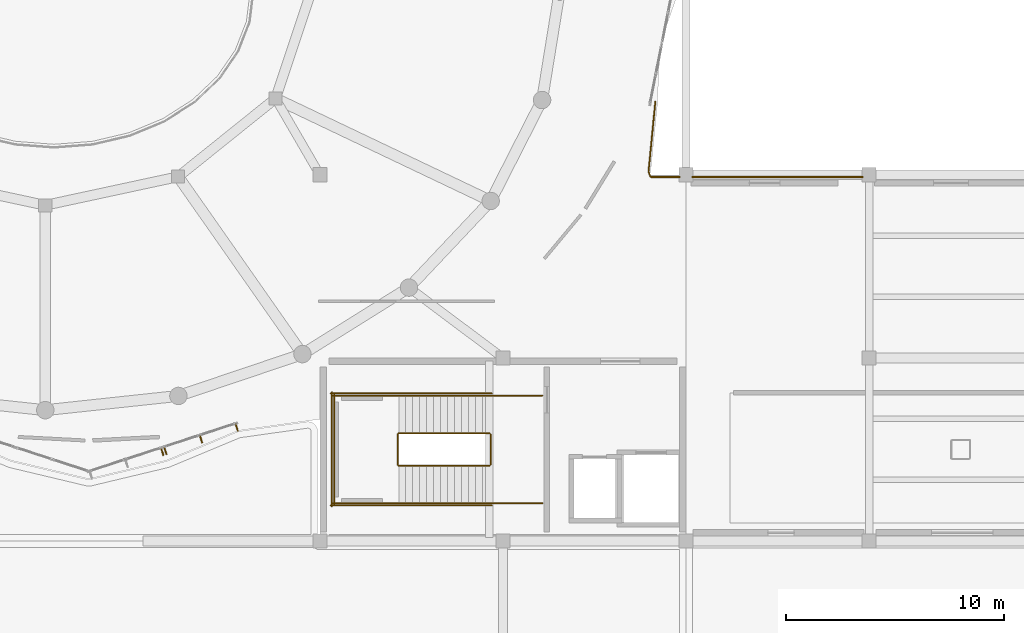
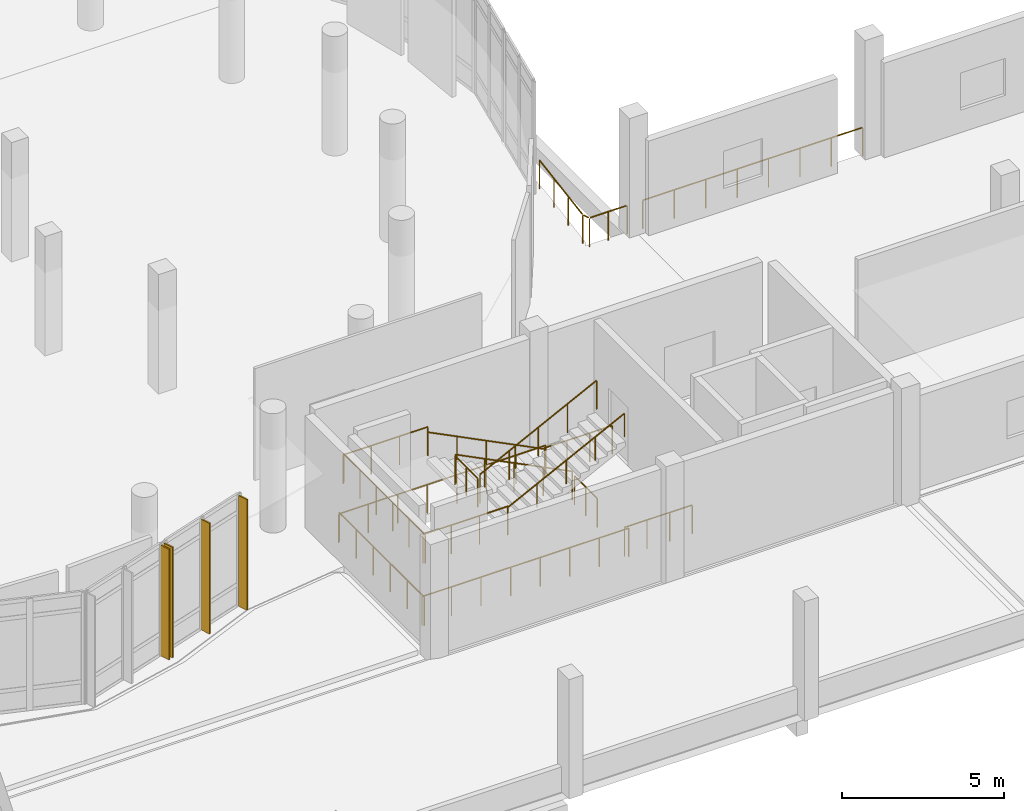
# One storey, part 39 of 46: 16 railings, 4 shading devices.
"""IFC4 building model written with IfcOpenShell, lengths in metres."""

from ifc_helpers import new_model, si_unit, derived_unit, direction, frame, origin, origin_2d, place, context, subcontext, project, spatial, rectangle, circle, extrude, material, type_object, element, save


model = new_model("IFC4")

# Units and contexts
model_context = context("Model", 3, precision=1e-05, world=origin(), true_north=direction((0.0, 1.0)))
body_context = subcontext(model_context, "Body", "Model", "MODEL_VIEW")
ifc_project = project(units=[si_unit("LENGTHUNIT", "METRE"), si_unit("AREAUNIT", "SQUARE_METRE"), si_unit("VOLUMEUNIT", "CUBIC_METRE"), si_unit("PLANEANGLEUNIT", "RADIAN"), si_unit("MASSUNIT", "GRAM", prefix="KILO"), derived_unit("THERMALTRANSMITTANCEUNIT", [(si_unit("POWERUNIT", "WATT"), 1), (si_unit("LENGTHUNIT", "METRE"), -2), (si_unit("THERMODYNAMICTEMPERATUREUNIT", "KELVIN"), -1)])], contexts=[model_context])

# Site, building, storey
site_placement = place(None, origin())
site = spatial("IfcSite", under=ifc_project, at=site_placement, CompositionType="ELEMENT")
building_placement = place(site_placement, origin())
building = spatial("IfcBuilding", under=site, at=building_placement, Name="Elbkamm Science Centre", CompositionType="ELEMENT")
storey_placement = place(building_placement, frame((0.0, 0.0, 9.89990234375)))
storey = spatial("IfcBuildingStorey", under=building, at=storey_placement, Name="L02", CompositionType="ELEMENT", Elevation=9.89990234375)

# Railings
ifc_material_1 = material(Name="Stainless steel EN 1.4401", Category="steel")
railing_type_1 = type_object("IfcRailingType", Name="RAIL-EXT-GUARD-1100", PredefinedType="GUARDRAIL", material=ifc_material_1)
railing_1_placement = place(storey_placement, frame((90.99267578125, 62.1591796875, 0.0)))
element("IfcRailing", 1, at=railing_1_placement, inside=storey, type_object=railing_type_1, Name="L02 Slab Edge Perimeter Guard 057", PredefinedType="GUARDRAIL", context=body_context, shape_type="SweptSolid", body=[
    extrude(circle(Radius=0.02392578125, at=origin_2d()), frame((0.0, 0.0, 1.078125), z_axis=(-0.096549259319, -0.99532820744, 0.0), x_axis=(0.99532820744, -0.096549259319, 0.0)), (0.0, 0.0, 1.0), 3.194091796875),
    extrude(circle(Radius=0.02392578125, at=origin_2d()), frame((-0.30078125, -3.237060546875, 1.078125), z_axis=(0.346002272105, -0.938233674358, 0.0), x_axis=(0.938233674358, 0.346002272105, 0.0)), (0.0, 0.0, 1.0), 0.206787109375),
    extrude(circle(Radius=0.02392578125, at=origin_2d()), frame((-0.18896484375, -3.459228515625, 1.078125), z_axis=(1.0, 0.0, 0.0), x_axis=(0.0, 1.0, 0.0)), (0.0, 0.0, 1.0), 1.31640625),
    extrude(circle(Radius=0.02001953125, at=origin_2d()), origin(), (0.0, 0.0, 1.0), 1.048095703125),
    extrude(circle(Radius=0.02001953125, at=origin_2d()), frame((-0.103759765625, -1.069580078125, 0.0)), (0.0, 0.0, 1.0), 1.048095703125),
    extrude(circle(Radius=0.02001953125, at=origin_2d()), frame((-0.20751953125, -2.139404296875, 0.0)), (0.0, 0.0, 1.0), 1.048095703125),
    extrude(circle(Radius=0.02001953125, at=origin_2d()), frame((-0.311279296875, -3.208984375, 0.0)), (0.0, 0.0, 1.0), 1.048095703125),
    extrude(circle(Radius=0.02001953125, at=origin_2d()), frame((-0.218994140625, -3.459228515625, 0.0)), (0.0, 0.0, 1.0), 1.048095703125),
    extrude(circle(Radius=0.02001953125, at=origin_2d()), frame((0.4541015625, -3.459228515625, 0.0)), (0.0, 0.0, 1.0), 1.048095703125),
    extrude(circle(Radius=0.02001953125, at=origin_2d()), frame((1.12744140625, -3.459228515625, 0.0)), (0.0, 0.0, 1.0), 1.048095703125),
])
railing_2_placement = place(storey_placement, frame((92.679931640625, 58.699951171875, 0.0)))
element("IfcRailing", 2, at=railing_2_placement, inside=storey, type_object=railing_type_1, Name="L02 Slab Edge Perimeter Guard 058", PredefinedType="GUARDRAIL", context=body_context, shape_type="SweptSolid", body=[
    extrude(circle(Radius=0.02392578125, at=origin_2d()), frame((0.0, 0.0, 1.078125), z_axis=(1.0, 0.0, 0.0), x_axis=(0.0, 1.0, 0.0)), (0.0, 0.0, 1.0), 7.840087890625),
    extrude(circle(Radius=0.02001953125, at=origin_2d()), origin(), (0.0, 0.0, 1.0), 1.048095703125),
    extrude(circle(Radius=0.02001953125, at=origin_2d()), frame((1.1201171875, 0.0, 0.0)), (0.0, 0.0, 1.0), 1.048095703125),
    extrude(circle(Radius=0.02001953125, at=origin_2d()), frame((2.239990234375, 0.0, 0.0)), (0.0, 0.0, 1.0), 1.048095703125),
    extrude(circle(Radius=0.02001953125, at=origin_2d()), frame((3.360107421875, 0.0, 0.0)), (0.0, 0.0, 1.0), 1.048095703125),
    extrude(circle(Radius=0.02001953125, at=origin_2d()), frame((4.47998046875, 0.0, 0.0)), (0.0, 0.0, 1.0), 1.048095703125),
    extrude(circle(Radius=0.02001953125, at=origin_2d()), frame((5.60009765625, 0.0, 0.0)), (0.0, 0.0, 1.0), 1.048095703125),
    extrude(circle(Radius=0.02001953125, at=origin_2d()), frame((6.719970703125, 0.0, 0.0)), (0.0, 0.0, 1.0), 1.048095703125),
    extrude(circle(Radius=0.02001953125, at=origin_2d()), frame((7.840087890625, 0.0, 0.0)), (0.0, 0.0, 1.0), 1.048095703125),
])
railing_type_2 = type_object("IfcRailingType", Name="RAIL-GUARD-1100", PredefinedType="GUARDRAIL", material=ifc_material_1)
railing_3_placement = place(storey_placement, frame((83.3798828125, 46.949951171875, 0.160888671875)))
element("IfcRailing", 3, at=railing_3_placement, inside=storey, type_object=railing_type_2, Name="L02 ST-C2 stair guard 1", PredefinedType="GUARDRAIL", context=body_context, shape_type="SweptSolid", body=[
    extrude(circle(Radius=0.02392578125, at=origin_2d()), frame((0.0, 0.0, 1.078125), z_axis=(-0.893639106791, 0.0, 0.448786304173), x_axis=(0.0, -1.0, 0.0)), (0.0, 0.0, 1.0), 4.655029296875),
    extrude(circle(Radius=0.02001953125, at=origin_2d()), origin(), (0.0, 0.0, 1.0), 1.048095703125),
    extrude(circle(Radius=0.02001953125, at=origin_2d()), frame((-1.0400390625, 0.0, 0.522216796875)), (0.0, 0.0, 1.0), 1.048095703125),
    extrude(circle(Radius=0.02001953125, at=origin_2d()), frame((-2.080078125, 0.0, 1.04443359375)), (0.0, 0.0, 1.0), 1.048095703125),
    extrude(circle(Radius=0.02001953125, at=origin_2d()), frame((-3.119873046875, 0.0, 1.56689453125)), (0.0, 0.0, 1.0), 1.048095703125),
    extrude(circle(Radius=0.02001953125, at=origin_2d()), frame((-4.159912109375, 0.0, 2.089111328125)), (0.0, 0.0, 1.0), 1.048095703125),
])
railing_4_placement = place(storey_placement, frame((79.169921875, 46.89990234375, 2.25)))
element("IfcRailing", 4, at=railing_4_placement, inside=storey, type_object=railing_type_2, Name="L02 ST-C2 stair guard 2", PredefinedType="GUARDRAIL", context=body_context, shape_type="SweptSolid", body=[
    extrude(circle(Radius=0.02392578125, at=origin_2d()), frame((0.0, 0.0, 1.078125), z_axis=(0.0, -1.0, 0.0), x_axis=(1.0, 0.0, 0.0)), (0.0, 0.0, 1.0), 1.39990234375),
    extrude(circle(Radius=0.02001953125, at=origin_2d()), origin(), (0.0, 0.0, 1.0), 1.048095703125),
    extrude(circle(Radius=0.02001953125, at=origin_2d()), frame((0.0, -0.699951171875, 0.0)), (0.0, 0.0, 1.0), 1.048095703125),
    extrude(circle(Radius=0.02001953125, at=origin_2d()), frame((0.0, -1.39990234375, 0.0)), (0.0, 0.0, 1.0), 1.048095703125),
])
for number, where, name in (
    (5, (79.219970703125, 48.669921875, 2.25), "L02 ST-C2 stair guard 3"),
    (6, (79.219970703125, 43.72998046875, 2.25), "L02 ST-C2 stair guard 4"),
):
    element("IfcRailing", number, at=place(storey_placement, frame(where)), inside=storey, type_object=railing_type_2, Name=name, PredefinedType="GUARDRAIL", context=body_context, shape_type="SweptSolid", body=[
        extrude(circle(Radius=0.02392578125, at=origin_2d()), frame((0.0, 0.0, 1.078125), z_axis=(-1.0, 0.0, 0.0), x_axis=(0.0, -1.0, 0.0)), (0.0, 0.0, 1.0), 3.02001953125),
        extrude(circle(Radius=0.02001953125, at=origin_2d()), origin(), (0.0, 0.0, 1.0), 1.048095703125),
        extrude(circle(Radius=0.02001953125, at=origin_2d()), frame((-1.006591796875, 0.0, 0.0)), (0.0, 0.0, 1.0), 1.048095703125),
        extrude(circle(Radius=0.02001953125, at=origin_2d()), frame((-2.013427734375, 0.0, 0.0)), (0.0, 0.0, 1.0), 1.048095703125),
        extrude(circle(Radius=0.02001953125, at=origin_2d()), frame((-3.02001953125, 0.0, 0.0)), (0.0, 0.0, 1.0), 1.048095703125),
    ])
railing_5_placement = place(storey_placement, frame((76.25, 48.719970703125, 2.25)))
element("IfcRailing", 7, at=railing_5_placement, inside=storey, type_object=railing_type_2, Name="L02 ST-C2 stair guard 5", PredefinedType="GUARDRAIL", context=body_context, shape_type="SweptSolid", body=[
    extrude(circle(Radius=0.02392578125, at=origin_2d()), frame((0.0, 0.0, 1.078125), z_axis=(0.0, -1.0, 0.0), x_axis=(1.0, 0.0, 0.0)), (0.0, 0.0, 1.0), 5.0400390625),
    extrude(circle(Radius=0.02001953125, at=origin_2d()), origin(), (0.0, 0.0, 1.0), 1.048095703125),
    extrude(circle(Radius=0.02001953125, at=origin_2d()), frame((0.0, -1.008056640625, 0.0)), (0.0, 0.0, 1.0), 1.048095703125),
    extrude(circle(Radius=0.02001953125, at=origin_2d()), frame((0.0, -2.01611328125, 0.0)), (0.0, 0.0, 1.0), 1.048095703125),
    extrude(circle(Radius=0.02001953125, at=origin_2d()), frame((0.0, -3.02392578125, 0.0)), (0.0, 0.0, 1.0), 1.048095703125),
    extrude(circle(Radius=0.02001953125, at=origin_2d()), frame((0.0, -4.031982421875, 0.0)), (0.0, 0.0, 1.0), 1.048095703125),
    extrude(circle(Radius=0.02001953125, at=origin_2d()), frame((0.0, -5.0400390625, 0.0)), (0.0, 0.0, 1.0), 1.048095703125),
])
railing_6_placement = place(storey_placement, frame((79.219970703125, 45.449951171875, 2.410888671875)))
element("IfcRailing", 8, at=railing_6_placement, inside=storey, type_object=railing_type_2, Name="L02 ST-C2 stair guard 6", PredefinedType="GUARDRAIL", context=body_context, shape_type="SweptSolid", body=[
    extrude(circle(Radius=0.02392578125, at=origin_2d()), frame((0.0, 0.0, 1.078125), z_axis=(0.893639106791, 0.0, 0.448786304173), x_axis=(0.0, 1.0, 0.0)), (0.0, 0.0, 1.0), 4.655029296875),
    extrude(circle(Radius=0.02001953125, at=origin_2d()), origin(), (0.0, 0.0, 1.0), 1.048095703125),
    extrude(circle(Radius=0.02001953125, at=origin_2d()), frame((1.0400390625, 0.0, 0.522216796875)), (0.0, 0.0, 1.0), 1.048095703125),
    extrude(circle(Radius=0.02001953125, at=origin_2d()), frame((2.080078125, 0.0, 1.04443359375)), (0.0, 0.0, 1.0), 1.048095703125),
    extrude(circle(Radius=0.02001953125, at=origin_2d()), frame((3.119873046875, 0.0, 1.56689453125)), (0.0, 0.0, 1.0), 1.048095703125),
    extrude(circle(Radius=0.02001953125, at=origin_2d()), frame((4.159912109375, 0.0, 2.089111328125)), (0.0, 0.0, 1.0), 1.048095703125),
])
railing_7_placement = place(storey_placement, frame((83.429931640625, 46.89990234375, 0.0)))
element("IfcRailing", 9, at=railing_7_placement, inside=storey, type_object=railing_type_2, Name="L02 ST-C2 stair guard 7", PredefinedType="GUARDRAIL", context=body_context, shape_type="SweptSolid", body=[
    extrude(circle(Radius=0.02392578125, at=origin_2d()), frame((0.0, 0.0, 1.078125), z_axis=(0.0, -1.0, 0.0), x_axis=(1.0, 0.0, 0.0)), (0.0, 0.0, 1.0), 1.39990234375),
    extrude(circle(Radius=0.02001953125, at=origin_2d()), origin(), (0.0, 0.0, 1.0), 1.048095703125),
    extrude(circle(Radius=0.02001953125, at=origin_2d()), frame((0.0, -0.699951171875, 0.0)), (0.0, 0.0, 1.0), 1.048095703125),
    extrude(circle(Radius=0.02001953125, at=origin_2d()), frame((0.0, -1.39990234375, 0.0)), (0.0, 0.0, 1.0), 1.048095703125),
])
for number, where, name in (
    (10, (85.800048828125, 48.669921875, 0.0), "L02 ST-C2 stair guard 8"),
    (11, (85.800048828125, 43.72998046875, 0.0), "L02 ST-C2 stair guard 9"),
):
    element("IfcRailing", number, at=place(storey_placement, frame(where)), inside=storey, type_object=railing_type_2, Name=name, PredefinedType="GUARDRAIL", context=body_context, shape_type="SweptSolid", body=[
        extrude(circle(Radius=0.02392578125, at=origin_2d()), frame((0.0, 0.0, 1.078125), z_axis=(-1.0, 0.0, 0.0), x_axis=(0.0, -1.0, 0.0)), (0.0, 0.0, 1.0), 2.420166015625),
        extrude(circle(Radius=0.02001953125, at=origin_2d()), origin(), (0.0, 0.0, 1.0), 1.048095703125),
        extrude(circle(Radius=0.02001953125, at=origin_2d()), frame((-0.806640625, 0.0, 0.0)), (0.0, 0.0, 1.0), 1.048095703125),
        extrude(circle(Radius=0.02001953125, at=origin_2d()), frame((-1.613525390625, 0.0, 0.0)), (0.0, 0.0, 1.0), 1.048095703125),
        extrude(circle(Radius=0.02001953125, at=origin_2d()), frame((-2.420166015625, 0.0, 0.0)), (0.0, 0.0, 1.0), 1.048095703125),
    ])
for number, where, name in (
    (12, (83.47998046875, 48.77001953125, 0.0), "L02 ST-C2 stair guard 10"),
    (13, (83.47998046875, 43.6298828125, 0.0), "L02 ST-C2 stair guard 11"),
):
    element("IfcRailing", number, at=place(storey_placement, frame(where)), inside=storey, type_object=railing_type_2, Name=name, PredefinedType="GUARDRAIL", context=body_context, shape_type="SweptSolid", body=[
        extrude(circle(Radius=0.02392578125, at=origin_2d()), frame((0.0, 0.0, 1.078125), z_axis=(-1.0, 0.0, 0.0), x_axis=(0.0, -1.0, 0.0)), (0.0, 0.0, 1.0), 7.3798828125),
        extrude(circle(Radius=0.02001953125, at=origin_2d()), origin(), (0.0, 0.0, 1.0), 1.048095703125),
        extrude(circle(Radius=0.02001953125, at=origin_2d()), frame((-1.05419921875, 0.0, 0.0)), (0.0, 0.0, 1.0), 1.048095703125),
        extrude(circle(Radius=0.02001953125, at=origin_2d()), frame((-2.108642578125, 0.0, 0.0)), (0.0, 0.0, 1.0), 1.048095703125),
        extrude(circle(Radius=0.02001953125, at=origin_2d()), frame((-3.162841796875, 0.0, 0.0)), (0.0, 0.0, 1.0), 1.048095703125),
        extrude(circle(Radius=0.02001953125, at=origin_2d()), frame((-4.217041015625, 0.0, 0.0)), (0.0, 0.0, 1.0), 1.048095703125),
        extrude(circle(Radius=0.02001953125, at=origin_2d()), frame((-5.271240234375, 0.0, 0.0)), (0.0, 0.0, 1.0), 1.048095703125),
        extrude(circle(Radius=0.02001953125, at=origin_2d()), frame((-6.32568359375, 0.0, 0.0)), (0.0, 0.0, 1.0), 1.048095703125),
        extrude(circle(Radius=0.02001953125, at=origin_2d()), frame((-7.3798828125, 0.0, 0.0)), (0.0, 0.0, 1.0), 1.048095703125),
    ])
railing_8_placement = place(storey_placement, frame((76.14990234375, 48.820068359375, 0.0)))
element("IfcRailing", 14, at=railing_8_placement, inside=storey, type_object=railing_type_2, Name="L02 ST-C2 stair guard 12", PredefinedType="GUARDRAIL", context=body_context, shape_type="SweptSolid", body=[
    extrude(circle(Radius=0.02392578125, at=origin_2d()), frame((0.0, 0.0, 1.078125), z_axis=(0.0, -1.0, 0.0), x_axis=(1.0, 0.0, 0.0)), (0.0, 0.0, 1.0), 5.239990234375),
    extrude(circle(Radius=0.02001953125, at=origin_2d()), origin(), (0.0, 0.0, 1.0), 1.048095703125),
    extrude(circle(Radius=0.02001953125, at=origin_2d()), frame((0.0, -1.048095703125, 0.0)), (0.0, 0.0, 1.0), 1.048095703125),
    extrude(circle(Radius=0.02001953125, at=origin_2d()), frame((0.0, -2.095947265625, 0.0)), (0.0, 0.0, 1.0), 1.048095703125),
    extrude(circle(Radius=0.02001953125, at=origin_2d()), frame((0.0, -3.14404296875, 0.0)), (0.0, 0.0, 1.0), 1.048095703125),
    extrude(circle(Radius=0.02001953125, at=origin_2d()), frame((0.0, -4.19189453125, 0.0)), (0.0, 0.0, 1.0), 1.048095703125),
    extrude(circle(Radius=0.02001953125, at=origin_2d()), frame((0.0, -5.239990234375, 0.0)), (0.0, 0.0, 1.0), 1.048095703125),
])
railing_type_3 = type_object("IfcRailingType", Name="RAIL-HAND-900", PredefinedType="HANDRAIL", material=ifc_material_1)
railing_9_placement = place(storey_placement, frame((83.3798828125, 48.669921875, 0.160888671875)))
element("IfcRailing", 15, at=railing_9_placement, inside=storey, type_object=railing_type_3, Name="L02 ST-C2 stair handrail 1", PredefinedType="HANDRAIL", context=body_context, shape_type="SweptSolid", body=[
    extrude(circle(Radius=0.02392578125, at=origin_2d()), frame((0.0, 0.0, 0.8779296875), z_axis=(-0.893639106791, 0.0, 0.448786304173), x_axis=(0.0, -1.0, 0.0)), (0.0, 0.0, 1.0), 4.655029296875),
    extrude(circle(Radius=0.02001953125, at=origin_2d()), origin(), (0.0, 0.0, 1.0), 0.847900390625),
    extrude(circle(Radius=0.02001953125, at=origin_2d()), frame((-1.0400390625, 0.0, 0.522216796875)), (0.0, 0.0, 1.0), 0.847900390625),
    extrude(circle(Radius=0.02001953125, at=origin_2d()), frame((-2.080078125, 0.0, 1.04443359375)), (0.0, 0.0, 1.0), 0.847900390625),
    extrude(circle(Radius=0.02001953125, at=origin_2d()), frame((-3.119873046875, 0.0, 1.56689453125)), (0.0, 0.0, 1.0), 0.847900390625),
    extrude(circle(Radius=0.02001953125, at=origin_2d()), frame((-4.159912109375, 0.0, 2.089111328125)), (0.0, 0.0, 1.0), 0.847900390625),
])
railing_10_placement = place(storey_placement, frame((79.219970703125, 43.72998046875, 2.410888671875)))
element("IfcRailing", 16, at=railing_10_placement, inside=storey, type_object=railing_type_3, Name="L02 ST-C2 stair handrail 2", PredefinedType="HANDRAIL", context=body_context, shape_type="SweptSolid", body=[
    extrude(circle(Radius=0.02392578125, at=origin_2d()), frame((0.0, 0.0, 0.8779296875), z_axis=(0.893639106791, 0.0, 0.448786304173), x_axis=(0.0, 1.0, 0.0)), (0.0, 0.0, 1.0), 4.655029296875),
    extrude(circle(Radius=0.02001953125, at=origin_2d()), origin(), (0.0, 0.0, 1.0), 0.847900390625),
    extrude(circle(Radius=0.02001953125, at=origin_2d()), frame((1.0400390625, 0.0, 0.522216796875)), (0.0, 0.0, 1.0), 0.847900390625),
    extrude(circle(Radius=0.02001953125, at=origin_2d()), frame((2.080078125, 0.0, 1.04443359375)), (0.0, 0.0, 1.0), 0.847900390625),
    extrude(circle(Radius=0.02001953125, at=origin_2d()), frame((3.119873046875, 0.0, 1.56689453125)), (0.0, 0.0, 1.0), 0.847900390625),
    extrude(circle(Radius=0.02001953125, at=origin_2d()), frame((4.159912109375, 0.0, 2.089111328125)), (0.0, 0.0, 1.0), 0.847900390625),
])

# Shading devices
ifc_material_2 = material(Name="Terracotta-ochre powder-coated aluminium EN AW-6060", Category="masonry")
shading_device_type = type_object("IfcShadingDeviceType", Name="SHD-LOUVRE-420", PredefinedType="USERDEFINED", material=ifc_material_2)
for number, where, z_axis, x_axis, name in (
    (17, (68.368896484375, 46.084716796875, 0.000244140625), (0.0, 0.0, 1.0), (0.310367846164, -0.950616536816, 0.0), "L02 Brise-Soleil Sunshade Fin 0068"),
    (18, (68.511474609375, 46.13134765625, 0.000244140625), (0.0, 0.0, 1.0), (0.310367846164, -0.950616536816, 0.0), "L02 Brise-Soleil Sunshade Fin 0069"),
    (19, (70.14892578125, 46.666015625, 0.000244140625), (0.0, 0.0, 1.0), (0.310367846164, -0.950616536816, 0.0), "L02 Brise-Soleil Sunshade Fin 0070"),
    (20, (71.78662109375, 47.20068359375, 0.000244140625), (0.0, 0.0, 1.0), (0.310367846164, -0.950616536816, 0.0), "L02 Brise-Soleil Sunshade Fin 0071"),
):
    element("IfcShadingDevice", number, at=place(storey_placement, frame(where, z_axis=z_axis, x_axis=x_axis)), inside=storey, type_object=shading_device_type, Name=name, ObjectType="LOUVRE", PredefinedType="USERDEFINED", context=body_context, shape_type="SweptSolid", body=[
        extrude(rectangle(XDim=0.35009765625, YDim=0.050048828125, at=origin_2d()), origin(), (0.0, 0.0, 1.0), 4.169921875),
    ])

save(model, "model.ifc")
